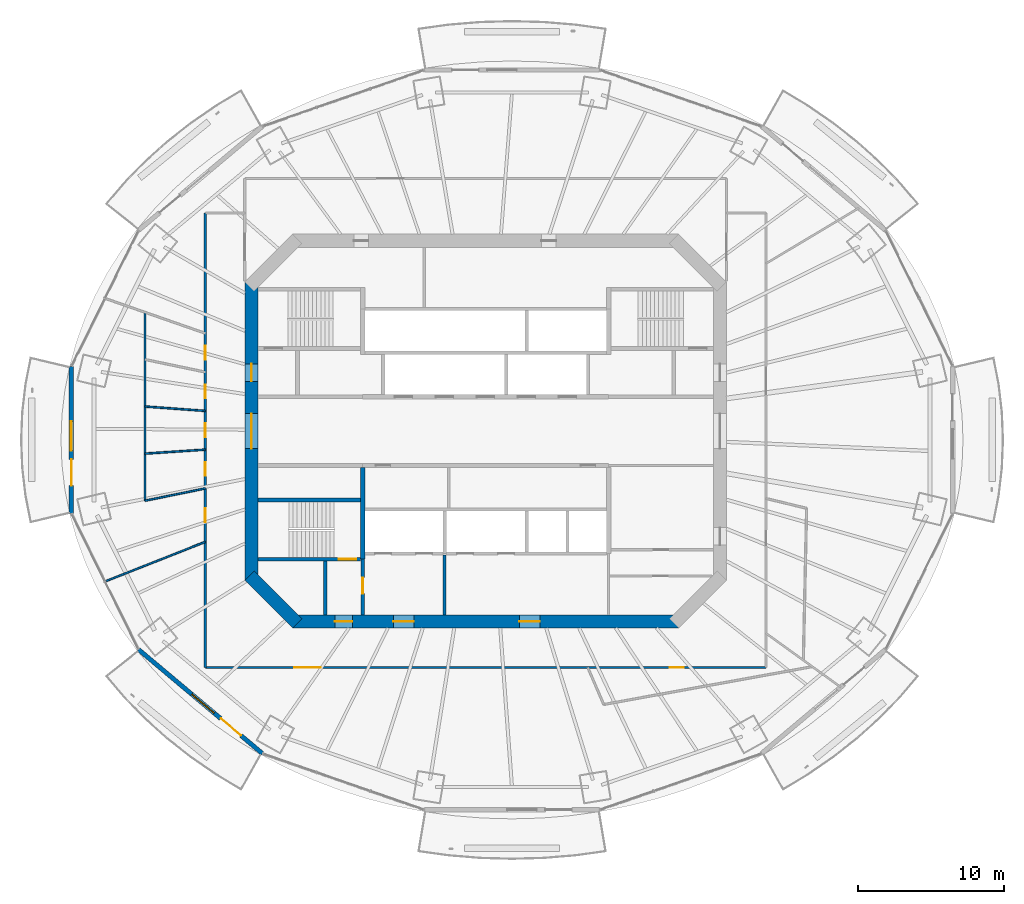
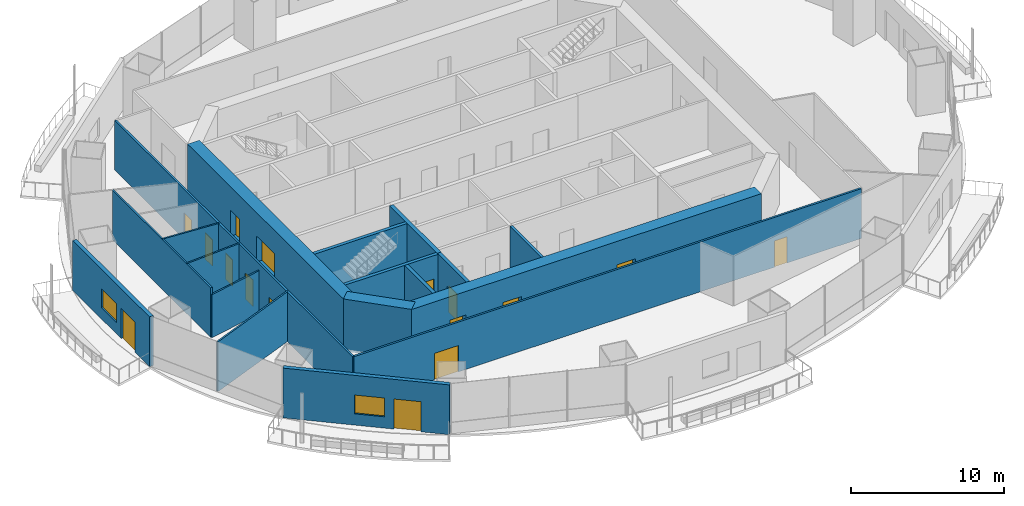
# One storey, part 10 of 19: 18 walls, 16 doors, 2 windows, 18 openings.
"""IFC4 building model written with IfcOpenShell, lengths in metres."""

from ifc_helpers import new_model, si_unit, direction, frame, frame_2d, origin, place, context, subcontext, project, spatial, rectangle, extrude, material, layer, layer_set, type_object, element, fill, save


model = new_model("IFC4")

# Units and contexts
model_context = context("Model", 3, precision=1e-05, world=origin(), true_north=direction((0.0, 1.0)))
body_context = subcontext(model_context, "Body", "Model", "MODEL_VIEW")
ifc_project = project(units=[si_unit("LENGTHUNIT", "METRE"), si_unit("AREAUNIT", "SQUARE_METRE"), si_unit("VOLUMEUNIT", "CUBIC_METRE"), si_unit("PLANEANGLEUNIT", "RADIAN"), si_unit("MASSUNIT", "GRAM", prefix="KILO")], contexts=[model_context])

# Site, building, storey
site_placement = place(None, origin())
site = spatial("IfcSite", under=ifc_project, at=site_placement, CompositionType="ELEMENT")
building_placement = place(site_placement, origin())
building = spatial("IfcBuilding", under=site, at=building_placement, Name="Marenthal Gate Tower", CompositionType="ELEMENT")
storey_placement = place(building_placement, frame((0.0, 0.0, 223.300048828125)))
storey = spatial("IfcBuildingStorey", under=building, at=storey_placement, Name="L49", CompositionType="ELEMENT", Elevation=223.300048828125)

# Wall, openings, doors
ifc_material_1 = material(Name="Concrete 60 MPa", Category="concrete")
ifc_layer_1 = layer(ifc_material_1, 0.89990234375)
ifc_layer_set_1 = layer_set([ifc_layer_1], Name="Core shear wall 900")
wall_type_1 = type_object("IfcWallType", Name="Core shear wall 900", PredefinedType="SHEAR", material=ifc_layer_set_1)
wall_1_placement = place(storey_placement, frame((-16.0, 10.186279296875, -0.179931640625), z_axis=(0.0, 0.0, 1.0), x_axis=(0.0, -1.0, 0.0)))
wall_1 = element("IfcWall", 1, at=wall_1_placement, inside=storey, type_object=wall_type_1, Name="Core wall 06", PredefinedType="SHEAR", context=body_context, shape_type="SweptSolid", body=[
    extrude(rectangle(XDim=20.37255859375, YDim=0.89990234375, at=frame_2d((10.186279296875, 0.0))), origin(), (0.0, 0.0, 1.0), 4.14990234375),
])
opening_1_placement = place(wall_1_placement, frame((8.986328125, 0.0, 0.179931640625)))
opening_1 = element("IfcOpeningElement", 2, at=opening_1_placement, cuts=wall_1, Name="Opening D003.01", PredefinedType="OPENING", context=body_context, shape_type="SweptSolid", body=[
    extrude(rectangle(XDim=2.39990234375, YDim=2.10009765625, at=frame_2d((1.199951171875, 1.050048828125))), frame((0.0, 0.4599609375, 0.0), z_axis=(0.0, -1.0, 0.0), x_axis=(1.0, 0.0, 0.0)), (0.0, 0.0, 1.0), 0.919921875),
])
opening_2_placement = place(wall_1_placement, frame((5.58642578125, 0.0, 0.179931640625)))
opening_2 = element("IfcOpeningElement", 3, at=opening_2_placement, cuts=wall_1, Name="Opening D001.04", PredefinedType="OPENING", context=body_context, shape_type="SweptSolid", body=[
    extrude(rectangle(XDim=1.199951171875, YDim=2.10009765625, at=frame_2d((0.60009765625, 1.050048828125))), frame((0.0, 0.4599609375, 0.0), z_axis=(0.0, -1.0, 0.0), x_axis=(1.0, 0.0, 0.0)), (0.0, 0.0, 1.0), 0.919921875),
])
ifc_material_2 = material(Name="Steel fire door", Category="steel")
door_type_1 = type_object("IfcDoorType", Name="Double fire door FD 45 2400 x 2100", OperationType="DOUBLE_DOOR_SINGLE_SWING", PredefinedType="DOOR", material=ifc_material_2)
door_1_placement = place(opening_1_placement, origin())
door_1 = element("IfcDoor", 4, at=door_1_placement, inside=storey, type_object=door_type_1, Name="Door D003.01", OperationType="DOUBLE_DOOR_SINGLE_SWING", OverallHeight=2.10009765625, OverallWidth=2.39990234375, PredefinedType="DOOR", context=body_context, shape_type="SweptSolid", body=[
    extrude(rectangle(XDim=2.39990234375, YDim=2.10009765625, at=frame_2d((1.199951171875, 1.050048828125))), frame((0.0, 0.02490234375, 0.0), z_axis=(0.0, -1.0, 0.0), x_axis=(1.0, 0.0, 0.0)), (0.0, 0.0, 1.0), 0.050048828125),
])
fill(opening_1, door_1)
ifc_material_3 = material(Name="Steel fire door", Category="steel")
door_type_2 = type_object("IfcDoorType", Name="Fire door FD 90 1200 x 2100", OperationType="NOTDEFINED", PredefinedType="DOOR", material=ifc_material_3)
door_2_placement = place(opening_2_placement, origin())
door_2 = element("IfcDoor", 5, at=door_2_placement, inside=storey, type_object=door_type_2, Name="Door D001.04", OperationType="SINGLE_SWING_RIGHT", OverallHeight=2.10009765625, OverallWidth=1.199951171875, PredefinedType="DOOR", context=body_context, shape_type="SweptSolid", body=[
    extrude(rectangle(XDim=1.199951171875, YDim=2.10009765625, at=frame_2d((0.60009765625, 1.050048828125))), frame((0.0, 0.02490234375, 0.0), z_axis=(0.0, -1.0, 0.0), x_axis=(1.0, 0.0, 0.0)), (0.0, 0.0, 1.0), 0.050048828125),
])
fill(opening_2, door_2)

# Wall
wall_2_placement = place(storey_placement, frame((-16.1318359375, -9.8681640625, -0.179931640625), z_axis=(0.0, 0.0, 1.0), x_axis=(0.707106781187, -0.707106781187, 0.0)))
element("IfcWall", 6, at=wall_2_placement, inside=storey, type_object=wall_type_1, Name="Core wall 07", PredefinedType="SHEAR", context=body_context, shape_type="SweptSolid", body=[
    extrude(rectangle(XDim=4.615478515625, YDim=0.89990234375, at=frame_2d((2.3076171875, 0.0))), origin(), (0.0, 0.0, 1.0), 4.14990234375),
])

# Wall, openings, doors
wall_3_placement = place(storey_placement, frame((-13.186279296875, -13.0, -0.179931640625), z_axis=(0.0, 0.0, 1.0), x_axis=(1.0, 0.0, 0.0)))
wall_3 = element("IfcWall", 7, at=wall_3_placement, inside=storey, type_object=wall_type_1, Name="Core wall 08", PredefinedType="SHEAR", context=body_context, shape_type="SweptSolid", body=[
    extrude(rectangle(XDim=26.37255859375, YDim=0.89990234375, at=frame_2d((13.186279296875, 0.0))), origin(), (0.0, 0.0, 1.0), 4.14990234375),
])
opening_3_placement = place(wall_3_placement, frame((2.886474609375, 0.0, 0.179931640625)))
opening_3 = element("IfcOpeningElement", 8, at=opening_3_placement, cuts=wall_3, Name="Opening D001.06", PredefinedType="OPENING", context=body_context, shape_type="SweptSolid", body=[
    extrude(rectangle(XDim=1.199951171875, YDim=2.10009765625, at=frame_2d((0.60009765625, 1.050048828125))), frame((0.0, 0.4599609375, 0.0), z_axis=(0.0, -1.0, 0.0), x_axis=(1.0, 0.0, 0.0)), (0.0, 0.0, 1.0), 0.919921875),
])
opening_4_placement = place(wall_3_placement, frame((6.886474609375, 0.0, 0.179931640625)))
opening_4 = element("IfcOpeningElement", 9, at=opening_4_placement, cuts=wall_3, Name="Opening D004.01", PredefinedType="OPENING", context=body_context, shape_type="SweptSolid", body=[
    extrude(rectangle(XDim=1.39990234375, YDim=2.10009765625, at=frame_2d((0.699951171875, 1.050048828125))), frame((0.0, 0.4599609375, 0.0), z_axis=(0.0, -1.0, 0.0), x_axis=(1.0, 0.0, 0.0)), (0.0, 0.0, 1.0), 0.919921875),
])
opening_5_placement = place(wall_3_placement, frame((15.486328125, 0.0, 0.179931640625)))
opening_5 = element("IfcOpeningElement", 10, at=opening_5_placement, cuts=wall_3, Name="Opening D004.02", PredefinedType="OPENING", context=body_context, shape_type="SweptSolid", body=[
    extrude(rectangle(XDim=1.39990234375, YDim=2.10009765625, at=frame_2d((0.699951171875, 1.050048828125))), frame((0.0, 0.4599609375, 0.0), z_axis=(0.0, -1.0, 0.0), x_axis=(1.0, 0.0, 0.0)), (0.0, 0.0, 1.0), 0.919921875),
])
ifc_material_4 = material(Name="Steel fire door", Category="steel")
door_type_3 = type_object("IfcDoorType", Name="Fire door FD 45 1400 x 2100", OperationType="NOTDEFINED", PredefinedType="DOOR", material=ifc_material_4)
door_3_placement = place(opening_4_placement, origin())
door_3 = element("IfcDoor", 11, at=door_3_placement, inside=storey, type_object=door_type_3, Name="Door D004.01", OperationType="SINGLE_SWING_RIGHT", OverallHeight=2.10009765625, OverallWidth=1.39990234375, PredefinedType="DOOR", context=body_context, shape_type="SweptSolid", body=[
    extrude(rectangle(XDim=1.39990234375, YDim=2.10009765625, at=frame_2d((0.699951171875, 1.050048828125))), frame((0.0, 0.02490234375, 0.0), z_axis=(0.0, -1.0, 0.0), x_axis=(1.0, 0.0, 0.0)), (0.0, 0.0, 1.0), 0.050048828125),
])
fill(opening_4, door_3)
door_4_placement = place(opening_5_placement, origin())
door_4 = element("IfcDoor", 12, at=door_4_placement, inside=storey, type_object=door_type_3, Name="Door D004.02", OperationType="SINGLE_SWING_RIGHT", OverallHeight=2.10009765625, OverallWidth=1.39990234375, PredefinedType="DOOR", context=body_context, shape_type="SweptSolid", body=[
    extrude(rectangle(XDim=1.39990234375, YDim=2.10009765625, at=frame_2d((0.699951171875, 1.050048828125))), frame((0.0, 0.02490234375, 0.0), z_axis=(0.0, -1.0, 0.0), x_axis=(1.0, 0.0, 0.0)), (0.0, 0.0, 1.0), 0.050048828125),
])
fill(opening_5, door_4)
door_5_placement = place(opening_3_placement, origin())
door_5 = element("IfcDoor", 13, at=door_5_placement, inside=storey, type_object=door_type_2, Name="Door D001.06", OperationType="SINGLE_SWING_RIGHT", OverallHeight=2.10009765625, OverallWidth=1.199951171875, PredefinedType="DOOR", context=body_context, shape_type="SweptSolid", body=[
    extrude(rectangle(XDim=1.199951171875, YDim=2.10009765625, at=frame_2d((0.60009765625, 1.050048828125))), frame((0.0, 0.02490234375, 0.0), z_axis=(0.0, -1.0, 0.0), x_axis=(1.0, 0.0, 0.0)), (0.0, 0.0, 1.0), 0.050048828125),
])
fill(opening_3, door_5)

# Walls
ifc_material_5 = material(Name="Gypsum board on steel studs", Category="steel")
ifc_layer_2 = layer(ifc_material_5, 0.199951171875)
ifc_layer_set_2 = layer_set([ifc_layer_2], Name="Fire lobby wall 200")
wall_type_2 = type_object("IfcWallType", Name="Fire lobby wall 200", PredefinedType="PARTITIONING", material=ifc_layer_set_2)
wall_4_placement = place(storey_placement, frame((-2.800048828125, -12.550048828125, 0.0), z_axis=(0.0, 0.0, 1.0), x_axis=(0.0, 1.0, 0.0)))
element("IfcWall", 14, at=wall_4_placement, inside=storey, type_object=wall_type_2, Name="Fire wall 36", PredefinedType="PARTITIONING", context=body_context, shape_type="SweptSolid", body=[
    extrude(rectangle(XDim=4.090087890625, YDim=0.199951171875, at=frame_2d((2.044921875, 0.0))), origin(), (0.0, 0.0, 1.0), 3.969970703125),
])
ifc_material_6 = material(Name="Concrete 50 MPa", Category="concrete")
ifc_layer_3 = layer(ifc_material_6, 0.300048828125)
ifc_layer_set_3 = layer_set([ifc_layer_3], Name="Hoistway shear wall 300")
wall_type_3 = type_object("IfcWallType", Name="Hoistway shear wall 300", PredefinedType="SHEAR", material=ifc_layer_set_3)
wall_5_placement = place(storey_placement, frame((-8.39990234375, -8.75, -0.179931640625), z_axis=(0.0, 0.0, 1.0), x_axis=(0.0, 1.0, 0.0)))
element("IfcWall", 15, at=wall_5_placement, inside=storey, type_object=wall_type_3, Name="Hoistway wall 31", PredefinedType="SHEAR", context=body_context, shape_type="SweptSolid", body=[
    extrude(rectangle(XDim=6.25, YDim=0.300048828125, at=frame_2d((3.125, 0.0))), origin(), (0.0, 0.0, 1.0), 4.14990234375),
])
ifc_material_7 = material(Name="Gypsum board on steel studs", Category="steel")
ifc_layer_4 = layer(ifc_material_7, 0.1201171875)
ifc_layer_set_4 = layer_set([ifc_layer_4], Name="Partition 120")
wall_type_4 = type_object("IfcWallType", Name="Partition 120", PredefinedType="PARTITIONING", material=ifc_layer_set_4)
wall_6_placement = place(storey_placement, frame((-23.264404296875, -4.751953125, 0.0), z_axis=(0.0, 0.0, 1.0), x_axis=(0.979774293951, 0.200105804295, 0.0)))
element("IfcWall", 16, at=wall_6_placement, inside=storey, type_object=wall_type_4, Name="Partition wall 49", PredefinedType="PARTITIONING", context=body_context, shape_type="SweptSolid", body=[
    extrude(rectangle(XDim=4.199462890625, YDim=0.1201171875, at=frame_2d((2.099609375, 0.0))), origin(), (0.0, 0.0, 1.0), 3.433837890625),
])
wall_7_placement = place(storey_placement, frame((-23.264404296875, -1.535400390625, 0.0), z_axis=(0.0, 0.0, 1.0), x_axis=(0.99783024909, 0.065839152494, 0.0)))
element("IfcWall", 17, at=wall_7_placement, inside=storey, type_object=wall_type_4, Name="Partition wall 50", PredefinedType="PARTITIONING", context=body_context, shape_type="SweptSolid", body=[
    extrude(rectangle(XDim=4.12353515625, YDim=0.1201171875, at=frame_2d((2.061767578125, 0.0))), origin(), (0.0, 0.0, 1.0), 3.969970703125),
])
wall_8_placement = place(storey_placement, frame((-23.264404296875, 1.680908203125, 0.0), z_axis=(0.0, 0.0, 1.0), x_axis=(0.997402818869, -0.07202511307, 0.0)))
element("IfcWall", 18, at=wall_8_placement, inside=storey, type_object=wall_type_4, Name="Partition wall 51", PredefinedType="PARTITIONING", context=body_context, shape_type="SweptSolid", body=[
    extrude(rectangle(XDim=4.125244140625, YDim=0.1201171875, at=frame_2d((2.0625, 0.0))), origin(), (0.0, 0.0, 1.0), 3.969970703125),
])
wall_9_placement = place(storey_placement, frame((-23.264404296875, 8.11376953125, 0.0), z_axis=(0.0, 0.0, 1.0), x_axis=(0.0, -1.0, 0.0)))
element("IfcWall", 19, at=wall_9_placement, inside=storey, type_object=wall_type_4, Name="Partition wall 53", PredefinedType="PARTITIONING", context=body_context, shape_type="SweptSolid", body=[
    extrude(rectangle(XDim=12.86572265625, YDim=0.1201171875, at=frame_2d((6.432861328125, 0.0))), origin(), (0.0, 0.0, 1.0), 3.969970703125),
])
wall_10_placement = place(storey_placement, frame((-19.14990234375, -7.5625, 0.0), z_axis=(0.0, 0.0, 1.0), x_axis=(-0.930098365243, -0.367310537518, 0.0)))
element("IfcWall", 20, at=wall_10_placement, inside=storey, type_object=wall_type_4, Name="Partition wall 55", PredefinedType="PARTITIONING", context=body_context, shape_type="SweptSolid", body=[
    extrude(rectangle(XDim=7.37255859375, YDim=0.1201171875, at=frame_2d((3.686279296875, 0.0))), origin(), (0.0, 0.0, 1.0), 3.969970703125),
])

# Wall, openings, doors
ifc_material_8 = material(Name="Gypsum board on steel studs", Category="steel")
ifc_layer_5 = layer(ifc_material_8, 0.14990234375)
ifc_layer_set_5 = layer_set([ifc_layer_5], Name="Partition 150")
wall_type_5 = type_object("IfcWallType", Name="Partition 150", PredefinedType="PARTITIONING", material=ifc_layer_set_5)
wall_11_placement = place(storey_placement, frame((-19.14990234375, -16.14990234375, 0.0), z_axis=(0.0, 0.0, 1.0), x_axis=(0.0, 1.0, 0.0)))
wall_11 = element("IfcWall", 21, at=wall_11_placement, inside=storey, type_object=wall_type_5, Name="Partition wall 54", PredefinedType="PARTITIONING", context=body_context, shape_type="SweptSolid", body=[
    extrude(rectangle(XDim=31.0498046875, YDim=0.14990234375, at=frame_2d((15.52490234375, 0.0))), origin(), (0.0, 0.0, 1.0), 3.969970703125),
])
opening_6_placement = place(wall_11_placement, frame((21.030029296875, 0.0, 0.0)))
opening_6 = element("IfcOpeningElement", 22, at=opening_6_placement, cuts=wall_11, Name="Opening D016.01", PredefinedType="OPENING", context=body_context, shape_type="SweptSolid", body=[
    extrude(rectangle(XDim=0.949951171875, YDim=2.10009765625, at=frame_2d((0.47509765625, 1.050048828125))), frame((0.0, 0.0849609375, 0.0), z_axis=(0.0, -1.0, 0.0), x_axis=(1.0, 0.0, 0.0)), (0.0, 0.0, 1.0), 0.169921875),
])
opening_7_placement = place(wall_11_placement, frame((18.382080078125, 0.0, 0.0)))
opening_7 = element("IfcOpeningElement", 23, at=opening_7_placement, cuts=wall_11, Name="Opening D016.02", PredefinedType="OPENING", context=body_context, shape_type="SweptSolid", body=[
    extrude(rectangle(XDim=0.949951171875, YDim=2.10009765625, at=frame_2d((0.47509765625, 1.050048828125))), frame((0.0, 0.0849609375, 0.0), z_axis=(0.0, -1.0, 0.0), x_axis=(1.0, 0.0, 0.0)), (0.0, 0.0, 1.0), 0.169921875),
])
opening_8_placement = place(wall_11_placement, frame((15.735107421875, 0.0, 0.0)))
opening_8 = element("IfcOpeningElement", 24, at=opening_8_placement, cuts=wall_11, Name="Opening D016.03", PredefinedType="OPENING", context=body_context, shape_type="SweptSolid", body=[
    extrude(rectangle(XDim=0.949951171875, YDim=2.10009765625, at=frame_2d((0.47509765625, 1.050048828125))), frame((0.0, 0.0849609375, 0.0), z_axis=(0.0, -1.0, 0.0), x_axis=(1.0, 0.0, 0.0)), (0.0, 0.0, 1.0), 0.169921875),
])
opening_9_placement = place(wall_11_placement, frame((13.0869140625, 0.0, 0.0)))
opening_9 = element("IfcOpeningElement", 25, at=opening_9_placement, cuts=wall_11, Name="Opening D016.04", PredefinedType="OPENING", context=body_context, shape_type="SweptSolid", body=[
    extrude(rectangle(XDim=0.949951171875, YDim=2.10009765625, at=frame_2d((0.47509765625, 1.050048828125))), frame((0.0, 0.0849609375, 0.0), z_axis=(0.0, -1.0, 0.0), x_axis=(1.0, 0.0, 0.0)), (0.0, 0.0, 1.0), 0.169921875),
])
opening_10_placement = place(wall_11_placement, frame((9.93798828125, 0.0, 0.0)))
opening_10 = element("IfcOpeningElement", 26, at=opening_10_placement, cuts=wall_11, Name="Opening D016.05", PredefinedType="OPENING", context=body_context, shape_type="SweptSolid", body=[
    extrude(rectangle(XDim=0.949951171875, YDim=2.10009765625, at=frame_2d((0.47509765625, 1.050048828125))), frame((0.0, 0.0849609375, 0.0), z_axis=(0.0, -1.0, 0.0), x_axis=(1.0, 0.0, 0.0)), (0.0, 0.0, 1.0), 0.169921875),
])
ifc_material_9 = material(Name="Timber door", Category="wood")
door_type_4 = type_object("IfcDoorType", Name="Door 950 x 2100", OperationType="NOTDEFINED", PredefinedType="DOOR", material=ifc_material_9)
door_6_placement = place(opening_6_placement, origin())
door_6 = element("IfcDoor", 27, at=door_6_placement, inside=storey, type_object=door_type_4, Name="Door D016.01", OperationType="SINGLE_SWING_RIGHT", OverallHeight=2.10009765625, OverallWidth=0.949951171875, PredefinedType="DOOR", context=body_context, shape_type="SweptSolid", body=[
    extrude(rectangle(XDim=0.949951171875, YDim=2.10009765625, at=frame_2d((0.47509765625, 1.050048828125))), frame((0.0, 0.02490234375, 0.0), z_axis=(0.0, -1.0, 0.0), x_axis=(1.0, 0.0, 0.0)), (0.0, 0.0, 1.0), 0.050048828125),
])
fill(opening_6, door_6)
door_7_placement = place(opening_7_placement, origin())
door_7 = element("IfcDoor", 28, at=door_7_placement, inside=storey, type_object=door_type_4, Name="Door D016.02", OperationType="SINGLE_SWING_RIGHT", OverallHeight=2.10009765625, OverallWidth=0.949951171875, PredefinedType="DOOR", context=body_context, shape_type="SweptSolid", body=[
    extrude(rectangle(XDim=0.949951171875, YDim=2.10009765625, at=frame_2d((0.47509765625, 1.050048828125))), frame((0.0, 0.02490234375, 0.0), z_axis=(0.0, -1.0, 0.0), x_axis=(1.0, 0.0, 0.0)), (0.0, 0.0, 1.0), 0.050048828125),
])
fill(opening_7, door_7)
door_8_placement = place(opening_8_placement, origin())
door_8 = element("IfcDoor", 29, at=door_8_placement, inside=storey, type_object=door_type_4, Name="Door D016.03", OperationType="SINGLE_SWING_RIGHT", OverallHeight=2.10009765625, OverallWidth=0.949951171875, PredefinedType="DOOR", context=body_context, shape_type="SweptSolid", body=[
    extrude(rectangle(XDim=0.949951171875, YDim=2.10009765625, at=frame_2d((0.47509765625, 1.050048828125))), frame((0.0, 0.02490234375, 0.0), z_axis=(0.0, -1.0, 0.0), x_axis=(1.0, 0.0, 0.0)), (0.0, 0.0, 1.0), 0.050048828125),
])
fill(opening_8, door_8)
door_9_placement = place(opening_9_placement, origin())
door_9 = element("IfcDoor", 30, at=door_9_placement, inside=storey, type_object=door_type_4, Name="Door D016.04", OperationType="SINGLE_SWING_RIGHT", OverallHeight=2.10009765625, OverallWidth=0.949951171875, PredefinedType="DOOR", context=body_context, shape_type="SweptSolid", body=[
    extrude(rectangle(XDim=0.949951171875, YDim=2.10009765625, at=frame_2d((0.47509765625, 1.050048828125))), frame((0.0, 0.02490234375, 0.0), z_axis=(0.0, -1.0, 0.0), x_axis=(1.0, 0.0, 0.0)), (0.0, 0.0, 1.0), 0.050048828125),
])
fill(opening_9, door_9)
door_10_placement = place(opening_10_placement, origin())
door_10 = element("IfcDoor", 31, at=door_10_placement, inside=storey, type_object=door_type_4, Name="Door D016.05", OperationType="SINGLE_SWING_RIGHT", OverallHeight=2.10009765625, OverallWidth=0.949951171875, PredefinedType="DOOR", context=body_context, shape_type="SweptSolid", body=[
    extrude(rectangle(XDim=0.949951171875, YDim=2.10009765625, at=frame_2d((0.47509765625, 1.050048828125))), frame((0.0, 0.02490234375, 0.0), z_axis=(0.0, -1.0, 0.0), x_axis=(1.0, 0.0, 0.0)), (0.0, 0.0, 1.0), 0.050048828125),
])
fill(opening_10, door_10)

wall_12_placement = place(storey_placement, frame((19.14990234375, -16.14990234375, 0.0), z_axis=(0.0, 0.0, 1.0), x_axis=(-1.0, 0.0, 0.0)))
wall_12 = element("IfcWall", 32, at=wall_12_placement, inside=storey, type_object=wall_type_5, Name="Partition wall 64", PredefinedType="PARTITIONING", context=body_context, shape_type="SweptSolid", body=[
    extrude(rectangle(XDim=38.2998046875, YDim=0.14990234375, at=frame_2d((19.14990234375, 0.0))), origin(), (0.0, 0.0, 1.0), 3.969970703125),
])
opening_11_placement = place(wall_12_placement, frame((5.611083984375, 0.0, 0.0)))
opening_11 = element("IfcOpeningElement", 33, at=opening_11_placement, cuts=wall_12, Name="Opening D016.06", PredefinedType="OPENING", context=body_context, shape_type="SweptSolid", body=[
    extrude(rectangle(XDim=0.949951171875, YDim=2.10009765625, at=frame_2d((0.47509765625, 1.050048828125))), frame((0.0, 0.0849609375, 0.0), z_axis=(0.0, -1.0, 0.0), x_axis=(1.0, 0.0, 0.0)), (0.0, 0.0, 1.0), 0.169921875),
])
opening_12_placement = place(wall_12_placement, frame((30.4140625, 0.0, 0.0)))
opening_12 = element("IfcOpeningElement", 34, at=opening_12_placement, cuts=wall_12, Name="Opening D014.02", PredefinedType="OPENING", context=body_context, shape_type="SweptSolid", body=[
    extrude(rectangle(XDim=1.800048828125, YDim=2.10009765625, at=frame_2d((0.89990234375, 1.050048828125))), frame((0.0, 0.0849609375, 0.0), z_axis=(0.0, -1.0, 0.0), x_axis=(1.0, 0.0, 0.0)), (0.0, 0.0, 1.0), 0.169921875),
])
door_11_placement = place(opening_11_placement, origin())
door_11 = element("IfcDoor", 35, at=door_11_placement, inside=storey, type_object=door_type_4, Name="Door D016.06", OperationType="SINGLE_SWING_RIGHT", OverallHeight=2.10009765625, OverallWidth=0.949951171875, PredefinedType="DOOR", context=body_context, shape_type="SweptSolid", body=[
    extrude(rectangle(XDim=0.949951171875, YDim=2.10009765625, at=frame_2d((0.47509765625, 1.050048828125))), frame((0.0, 0.02490234375, 0.0), z_axis=(0.0, -1.0, 0.0), x_axis=(1.0, 0.0, 0.0)), (0.0, 0.0, 1.0), 0.050048828125),
])
fill(opening_11, door_11)
ifc_material_10 = material(Name="Timber door", Category="wood")
door_type_5 = type_object("IfcDoorType", Name="Double door 1800 x 2100", OperationType="DOUBLE_DOOR_SINGLE_SWING", PredefinedType="DOOR", material=ifc_material_10)
door_12_placement = place(opening_12_placement, origin())
door_12 = element("IfcDoor", 36, at=door_12_placement, inside=storey, type_object=door_type_5, Name="Door D014.02", OperationType="DOUBLE_DOOR_SINGLE_SWING", OverallHeight=2.10009765625, OverallWidth=1.800048828125, PredefinedType="DOOR", context=body_context, shape_type="SweptSolid", body=[
    extrude(rectangle(XDim=1.800048828125, YDim=2.10009765625, at=frame_2d((0.89990234375, 1.050048828125))), frame((0.0, 0.02490234375, 0.0), z_axis=(0.0, -1.0, 0.0), x_axis=(1.0, 0.0, 0.0)), (0.0, 0.0, 1.0), 0.050048828125),
])
fill(opening_12, door_12)

# Wall
ifc_material_11 = material(Name="Concrete 40 MPa", Category="concrete")
ifc_layer_6 = layer(ifc_material_11, 0.25)
ifc_layer_set_6 = layer_set([ifc_layer_6], Name="Stair enclosure wall 250")
wall_type_6 = type_object("IfcWallType", Name="Stair enclosure wall 250", PredefinedType="STANDARD", material=ifc_layer_set_6)
wall_13_placement = place(storey_placement, frame((-10.949951171875, -12.550048828125, 0.0), z_axis=(0.0, 0.0, 1.0), x_axis=(0.0, 1.0, 0.0)))
element("IfcWall", 37, at=wall_13_placement, inside=storey, type_object=wall_type_6, Name="Stair wall 29", PredefinedType="STANDARD", context=body_context, shape_type="SweptSolid", body=[
    extrude(rectangle(XDim=3.675048828125, YDim=0.25, at=frame_2d((1.83740234375, 0.0))), origin(), (0.0, 0.0, 1.0), 3.969970703125),
])

# Wall, opening, door
wall_14_placement = place(storey_placement, frame((-8.39990234375, -12.550048828125, 0.0), z_axis=(0.0, 0.0, 1.0), x_axis=(0.0, 1.0, 0.0)))
wall_14 = element("IfcWall", 38, at=wall_14_placement, inside=storey, type_object=wall_type_6, Name="Stair wall 30", PredefinedType="STANDARD", context=body_context, shape_type="SweptSolid", body=[
    extrude(rectangle(XDim=3.800048828125, YDim=0.25, at=frame_2d((1.89990234375, 0.0))), origin(), (0.0, 0.0, 1.0), 3.969970703125),
])
opening_13_placement = place(wall_14_placement, frame((1.449951171875, 0.0, 0.0)))
opening_13 = element("IfcOpeningElement", 39, at=opening_13_placement, cuts=wall_14, Name="Opening D002.01", PredefinedType="OPENING", context=body_context, shape_type="SweptSolid", body=[
    extrude(rectangle(XDim=1.10009765625, YDim=2.10009765625, at=frame_2d((0.550048828125, 1.050048828125))), frame((0.0, 0.135009765625, 0.0), z_axis=(0.0, -1.0, 0.0), x_axis=(1.0, 0.0, 0.0)), (0.0, 0.0, 1.0), 0.27001953125),
])
ifc_material_12 = material(Name="Steel fire door", Category="steel")
door_type_6 = type_object("IfcDoorType", Name="Fire door FD 90 1100 x 2100", OperationType="NOTDEFINED", PredefinedType="DOOR", material=ifc_material_12)
door_13_placement = place(opening_13_placement, origin())
door_13 = element("IfcDoor", 40, at=door_13_placement, inside=storey, type_object=door_type_6, Name="Door D002.01", OperationType="SINGLE_SWING_RIGHT", OverallHeight=2.10009765625, OverallWidth=1.10009765625, PredefinedType="DOOR", context=body_context, shape_type="SweptSolid", body=[
    extrude(rectangle(XDim=1.10009765625, YDim=2.10009765625, at=frame_2d((0.550048828125, 1.050048828125))), frame((0.0, 0.02490234375, 0.0), z_axis=(0.0, -1.0, 0.0), x_axis=(1.0, 0.0, 0.0)), (0.0, 0.0, 1.0), 0.050048828125),
])
fill(opening_13, door_13)

ifc_material_13 = material(Name="Concrete 50 MPa", Category="concrete")
ifc_layer_7 = layer(ifc_material_13, 0.25)
ifc_layer_set_7 = layer_set([ifc_layer_7], Name="Stair shear wall 250")
wall_type_7 = type_object("IfcWallType", Name="Stair shear wall 250", PredefinedType="SHEAR", material=ifc_layer_set_7)
wall_15_placement = place(storey_placement, frame((-15.550048828125, -8.75, -0.179931640625), z_axis=(0.0, 0.0, 1.0), x_axis=(1.0, 0.0, 0.0)))
wall_15 = element("IfcWall", 41, at=wall_15_placement, inside=storey, type_object=wall_type_7, Name="Stair wall 10", PredefinedType="SHEAR", context=body_context, shape_type="SweptSolid", body=[
    extrude(rectangle(XDim=7.0, YDim=0.25, at=frame_2d((3.5, 0.0))), origin(), (0.0, 0.0, 1.0), 4.14990234375),
])
opening_14_placement = place(wall_15_placement, frame((5.5, 0.0, 0.179931640625)))
opening_14 = element("IfcOpeningElement", 42, at=opening_14_placement, cuts=wall_15, Name="Opening D001.03", PredefinedType="OPENING", context=body_context, shape_type="SweptSolid", body=[
    extrude(rectangle(XDim=1.199951171875, YDim=2.10009765625, at=frame_2d((0.60009765625, 1.050048828125))), frame((0.0, 0.135009765625, 0.0), z_axis=(0.0, -1.0, 0.0), x_axis=(1.0, 0.0, 0.0)), (0.0, 0.0, 1.0), 0.27001953125),
])
door_14_placement = place(opening_14_placement, origin())
door_14 = element("IfcDoor", 43, at=door_14_placement, inside=storey, type_object=door_type_2, Name="Door D001.03", OperationType="SINGLE_SWING_RIGHT", OverallHeight=2.10009765625, OverallWidth=1.199951171875, PredefinedType="DOOR", context=body_context, shape_type="SweptSolid", body=[
    extrude(rectangle(XDim=1.199951171875, YDim=2.10009765625, at=frame_2d((0.60009765625, 1.050048828125))), frame((0.0, 0.02490234375, 0.0), z_axis=(0.0, -1.0, 0.0), x_axis=(1.0, 0.0, 0.0)), (0.0, 0.0, 1.0), 0.050048828125),
])
fill(opening_14, door_14)

# Wall
wall_16_placement = place(storey_placement, frame((-15.550048828125, -4.699951171875, -0.179931640625), z_axis=(0.0, 0.0, 1.0), x_axis=(1.0, 0.0, 0.0)))
element("IfcWall", 44, at=wall_16_placement, inside=storey, type_object=wall_type_7, Name="Stair wall 15", PredefinedType="SHEAR", context=body_context, shape_type="SweptSolid", body=[
    extrude(rectangle(XDim=7.0, YDim=0.25, at=frame_2d((3.5, 0.0))), origin(), (0.0, 0.0, 1.0), 4.14990234375),
])

# Wall, openings, door, window
ifc_material_14 = material(Name="Terracotta cladding on insulated concrete-block backing", Category="masonry")
ifc_layer_8 = layer(ifc_material_14, 0.300048828125)
ifc_layer_set_8 = layer_set([ifc_layer_8], Name="Terracotta facade wall 300")
wall_type_8 = type_object("IfcWallType", Name="Terracotta facade wall 300", PredefinedType="SOLIDWALL", material=ifc_layer_set_8)
wall_17_placement = place(storey_placement, frame((-28.29833984375, 4.426513671875, 0.0), z_axis=(0.0, 0.0, 1.0), x_axis=(0.0, -1.0, 0.0)))
wall_17 = element("IfcWall", 45, at=wall_17_placement, inside=storey, type_object=wall_type_8, Name="Terracotta facade wall L49 bay 8", PredefinedType="SOLIDWALL", context=body_context, shape_type="SweptSolid", body=[
    extrude(rectangle(XDim=10.052978515625, YDim=0.300048828125, at=frame_2d((5.0263671875, 0.0))), origin(), (0.0, 0.0, 1.0), 3.969970703125),
])
opening_15_placement = place(wall_17_placement, frame((6.35302734375, 0.0, 0.0)))
opening_15 = element("IfcOpeningElement", 46, at=opening_15_placement, cuts=wall_17, Name="Opening BD-L49-08", PredefinedType="OPENING", context=body_context, shape_type="SweptSolid", body=[
    extrude(rectangle(XDim=1.800048828125, YDim=2.39990234375, at=frame_2d((0.89990234375, 1.199951171875))), frame((0.0, 0.16015625, 0.0), z_axis=(0.0, -1.0, 0.0), x_axis=(1.0, 0.0, 0.0)), (0.0, 0.0, 1.0), 0.320068359375),
])
opening_16_placement = place(wall_17_placement, frame((3.7529296875, 0.0, 0.89990234375)))
opening_16 = element("IfcOpeningElement", 47, at=opening_16_placement, cuts=wall_17, Name="Opening WN2-L49-08", PredefinedType="OPENING", context=body_context, shape_type="SweptSolid", body=[
    extrude(rectangle(XDim=2.0, YDim=1.5, at=frame_2d((1.0, 0.75))), frame((0.0, 0.16015625, 0.0), z_axis=(0.0, -1.0, 0.0), x_axis=(1.0, 0.0, 0.0)), (0.0, 0.0, 1.0), 0.320068359375),
])
ifc_material_15 = material(Name="Aluminium and glass", Category="aluminium")
door_type_7 = type_object("IfcDoorType", Name="Balcony door 1800x2400", OperationType="DOUBLE_DOOR_SINGLE_SWING", PredefinedType="DOOR", material=ifc_material_15)
door_15_placement = place(opening_15_placement, origin())
door_15 = element("IfcDoor", 48, at=door_15_placement, inside=storey, type_object=door_type_7, Name="Balcony door L49 bay 8", OperationType="SINGLE_SWING_LEFT", OverallHeight=2.39990234375, OverallWidth=1.800048828125, PredefinedType="DOOR", context=body_context, shape_type="SweptSolid", body=[
    extrude(rectangle(XDim=1.800048828125, YDim=2.39990234375, at=frame_2d((0.89990234375, 1.199951171875))), frame((0.0, 0.02490234375, 0.0), z_axis=(0.0, -1.0, 0.0), x_axis=(1.0, 0.0, 0.0)), (0.0, 0.0, 1.0), 0.050048828125),
])
fill(opening_15, door_15)
ifc_material_16 = material(Name="Aluminium and glass", Category="aluminium")
window_type = type_object("IfcWindowType", Name="Window 2000x1500", PartitioningType="DOUBLE_PANEL_VERTICAL", PredefinedType="WINDOW", material=ifc_material_16)
window_1_placement = place(opening_16_placement, origin())
window_1 = element("IfcWindow", 49, at=window_1_placement, inside=storey, type_object=window_type, Name="Window L49 bay 8", OverallHeight=1.5, OverallWidth=2.0, PartitioningType="SINGLE_PANEL", PredefinedType="WINDOW", context=body_context, shape_type="SweptSolid", body=[
    extrude(rectangle(XDim=2.0, YDim=1.5, at=frame_2d((1.0, 0.75))), frame((0.0, 0.030029296875, 0.0), z_axis=(0.0, -1.0, 0.0), x_axis=(1.0, 0.0, 0.0)), (0.0, 0.0, 1.0), 0.06005859375),
])
fill(opening_16, window_1)

wall_18_placement = place(storey_placement, frame((-23.716064453125, -14.914306640625, 0.0), z_axis=(0.0, 0.0, 1.0), x_axis=(0.765870158107, -0.642995257308, 0.0)))
wall_18 = element("IfcWall", 50, at=wall_18_placement, inside=storey, type_object=wall_type_8, Name="Terracotta facade wall L49 bay 10", PredefinedType="SOLIDWALL", context=body_context, shape_type="SweptSolid", body=[
    extrude(rectangle(XDim=11.05517578125, YDim=0.300048828125, at=frame_2d((5.527587890625, 0.0))), origin(), (0.0, 0.0, 1.0), 3.969970703125),
])
opening_17_placement = place(wall_18_placement, frame((7.355224609375, 0.0, 0.0)))
opening_17 = element("IfcOpeningElement", 51, at=opening_17_placement, cuts=wall_18, Name="Opening BD-L49-10", PredefinedType="OPENING", context=body_context, shape_type="SweptSolid", body=[
    extrude(rectangle(XDim=1.800048828125, YDim=2.39990234375, at=frame_2d((0.89990234375, 1.199951171875))), frame((0.0, 0.16015625, 0.0), z_axis=(0.0, -1.0, 0.0), x_axis=(1.0, 0.0, 0.0)), (0.0, 0.0, 1.0), 0.320068359375),
])
opening_18_placement = place(wall_18_placement, frame((4.755126953125, 0.0, 0.89990234375)))
opening_18 = element("IfcOpeningElement", 52, at=opening_18_placement, cuts=wall_18, Name="Opening WN2-L49-10", PredefinedType="OPENING", context=body_context, shape_type="SweptSolid", body=[
    extrude(rectangle(XDim=2.0, YDim=1.5, at=frame_2d((1.0, 0.75))), frame((0.0, 0.16015625, 0.0), z_axis=(0.0, -1.0, 0.0), x_axis=(1.0, 0.0, 0.0)), (0.0, 0.0, 1.0), 0.320068359375),
])
door_16_placement = place(opening_17_placement, origin())
door_16 = element("IfcDoor", 53, at=door_16_placement, inside=storey, type_object=door_type_7, Name="Balcony door L49 bay 10", OperationType="SINGLE_SWING_LEFT", OverallHeight=2.39990234375, OverallWidth=1.800048828125, PredefinedType="DOOR", context=body_context, shape_type="SweptSolid", body=[
    extrude(rectangle(XDim=1.800048828125, YDim=2.39990234375, at=frame_2d((0.89990234375, 1.199951171875))), frame((0.0, 0.02490234375, 0.0), z_axis=(0.0, -1.0, 0.0), x_axis=(1.0, 0.0, 0.0)), (0.0, 0.0, 1.0), 0.050048828125),
])
fill(opening_17, door_16)
window_2_placement = place(opening_18_placement, origin())
window_2 = element("IfcWindow", 54, at=window_2_placement, inside=storey, type_object=window_type, Name="Window L49 bay 10", OverallHeight=1.5, OverallWidth=2.0, PartitioningType="SINGLE_PANEL", PredefinedType="WINDOW", context=body_context, shape_type="SweptSolid", body=[
    extrude(rectangle(XDim=2.0, YDim=1.5, at=frame_2d((1.0, 0.75))), frame((0.0, 0.030029296875, 0.0), z_axis=(0.0, -1.0, 0.0), x_axis=(1.0, 0.0, 0.0)), (0.0, 0.0, 1.0), 0.06005859375),
])
fill(opening_18, window_2)

save(model, "model.ifc")
